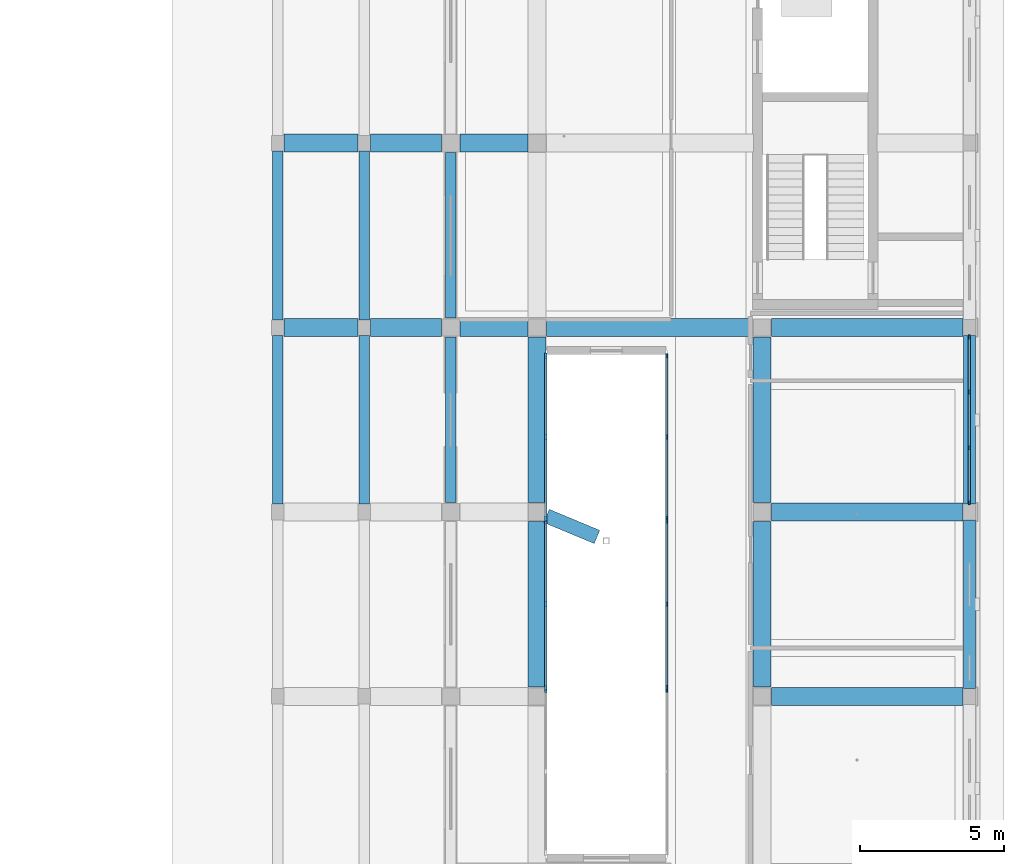
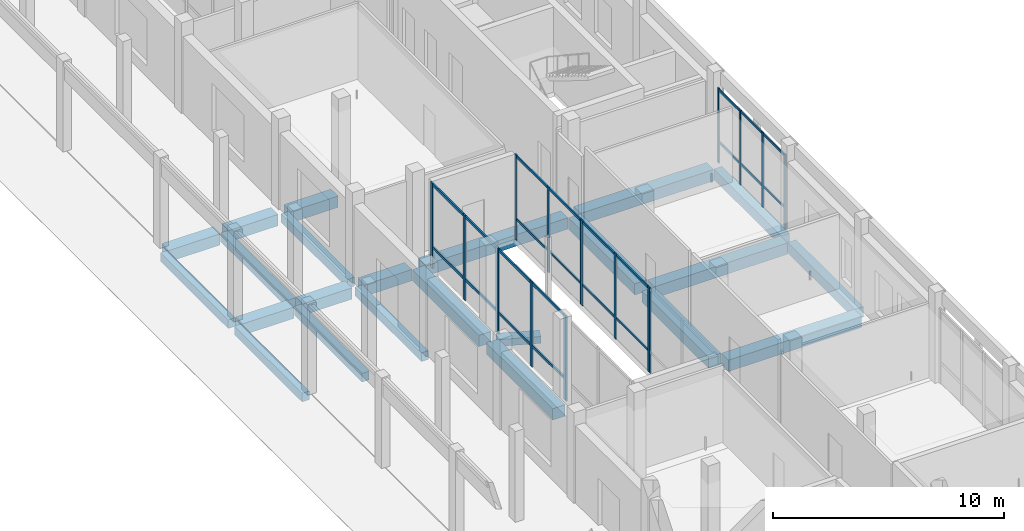
# One storey, part 34 of 88: 28 members, 23 beams, 7 elements without a shape of their own.
"""IFC4 building model written with IfcOpenShell, lengths in metres."""

import ifcopenshell
import ifcopenshell.guid

model = None  # the IFC model being written
_history = None  # IfcOwnerHistory: only IFC2X3 demands one
_inside = {}  # id of a spatial element -> (the spatial element, [elements in it])
_under = {}  # id of a project, library or spatial element -> (it, [spatial elements below it])
_declared = {}  # id of a project -> (the project, [libraries it declares])
_typed = {}  # id of a type object -> (the type object, [elements of that type])
_made_of = {}  # id of a material, layer set ... -> (it, [elements and type objects made of it])


def new_model(schema):
    """Start an empty IFC model of exactly this schema.

    Asked for "IFC4X3", IfcOpenShell would pick the latest addendum, in which some entities
    have other attributes; the version numbers below select the first issue.
    IFC2X3 requires an IfcOwnerHistory on every rooted entity: one is made here for all.
    """
    global model, _history
    if schema == "IFC4X3":
        model = ifcopenshell.file(schema_version=(4, 3, 0, 0))
    else:
        model = ifcopenshell.file(schema=schema)
    _inside.clear()
    _under.clear()
    _declared.clear()
    _typed.clear()
    _made_of.clear()
    _history = None
    if model.schema == "IFC2X3":
        org = make("IfcOrganization", Name="unknown")
        user = make(
            "IfcPersonAndOrganization",
            ThePerson=make("IfcPerson", FamilyName="unknown"),
            TheOrganization=org,
        )
        app = make(
            "IfcApplication",
            ApplicationDeveloper=org,
            Version="unknown",
            ApplicationFullName="unknown",
            ApplicationIdentifier="unknown",
        )
        _history = make(
            "IfcOwnerHistory",
            OwningUser=user,
            OwningApplication=app,
            ChangeAction="ADDED",
            CreationDate=0,
        )
    return model


def make(cls, **values):
    """One entity of the class cls with the attributes given. An attribute that is None is left unset."""
    return model.create_entity(
        cls, **{name: value for name, value in values.items() if value is not None}
    )


def rooted(cls, **values):
    """An entity with a GlobalId (a new one), such as an element, a storey or a relation."""
    return make(cls, GlobalId=ifcopenshell.guid.new(), OwnerHistory=_history, **values)


def si_unit(unit_type, name, prefix=None):
    """IfcSIUnit, for example si_unit("LENGTHUNIT", "METRE", prefix="MILLI")."""
    return make("IfcSIUnit", UnitType=unit_type, Prefix=prefix, Name=name)


def derived_unit(unit_type, elements):
    """IfcDerivedUnit: a product of units, each with its exponent."""
    return make(
        "IfcDerivedUnit",
        Elements=[
            make("IfcDerivedUnitElement", Unit=unit, Exponent=power)
            for unit, power in elements
        ],
        UnitType=unit_type,
    )


def assignment(units):
    """IfcUnitAssignment: the units of a project."""
    return None if units is None else make("IfcUnitAssignment", Units=units)


def point(xyz):
    """IfcCartesianPoint."""
    return None if xyz is None else make("IfcCartesianPoint", Coordinates=xyz)


def direction(xyz):
    """IfcDirection."""
    return None if xyz is None else make("IfcDirection", DirectionRatios=xyz)


def frame(location, z_axis=None, x_axis=None):
    """IfcAxis2Placement3D, a coordinate frame: its origin and axes. An axis left out is left unset."""
    return make(
        "IfcAxis2Placement3D",
        Location=point(location),
        Axis=direction(z_axis),
        RefDirection=direction(x_axis),
    )


def frame_2d(location, x_axis=None):
    """IfcAxis2Placement2D, a coordinate frame in the plane: its origin and x axis."""
    return make(
        "IfcAxis2Placement2D", Location=point(location), RefDirection=direction(x_axis)
    )


def origin():
    """The frame at (0, 0, 0) with its axes left unset."""
    return frame((0.0, 0.0, 0.0))


def origin_2d():
    """The frame at (0, 0) in the plane with its x axis left unset."""
    return frame_2d((0.0, 0.0))


def place(relative_to, where):
    """IfcLocalPlacement: puts the frame where relative to a parent placement (None: the world)."""
    return make(
        "IfcLocalPlacement", PlacementRelTo=relative_to, RelativePlacement=where
    )


def context(
    kind, dimensions, precision=None, world=None, true_north=None, identifier=None
):
    """IfcGeometricRepresentationContext, for example the 3D "Model" context."""
    return make(
        "IfcGeometricRepresentationContext",
        ContextIdentifier=identifier,
        ContextType=kind,
        CoordinateSpaceDimension=dimensions,
        Precision=precision,
        WorldCoordinateSystem=world,
        TrueNorth=true_north,
    )


def subcontext(parent, identifier, kind, view, scale=None):
    """IfcGeometricRepresentationSubContext, for example "Body" below "Model"."""
    return make(
        "IfcGeometricRepresentationSubContext",
        ContextIdentifier=identifier,
        ContextType=kind,
        ParentContext=parent,
        TargetScale=scale,
        TargetView=view,
    )


def project(units=None, contexts=None):
    """IfcProject with its units and contexts."""
    return rooted(
        "IfcProject",
        Name="project",
        RepresentationContexts=contexts,
        UnitsInContext=assignment(units),
    )


def spatial(cls, under=None, at=None, **own):
    """A site, building, storey or space (cls), placed at a placement, below another one or the project."""
    s = rooted(cls, ObjectPlacement=at, **own)
    if under is not None:
        _under.setdefault(under.id(), (under, []))[1].append(s)
    return s


def profile(cls, at=None, kind="AREA", **sizes):
    """A parametric profile (cls). Its sizes go by their IFC names, for example OverallWidth=200.0."""
    return make(cls, ProfileType=kind, Position=at, **sizes)


def rectangle(**sizes):
    """IfcRectangleProfileDef."""
    return profile("IfcRectangleProfileDef", **sizes)


def extrude(swept, where, along, depth):
    """IfcExtrudedAreaSolid: the profile swept, set in the frame where, extruded along a direction by depth."""
    return make(
        "IfcExtrudedAreaSolid",
        SweptArea=swept,
        Position=where,
        ExtrudedDirection=direction(along),
        Depth=depth,
    )


def shape(context_of_items, identifier, shape_type, items):
    """IfcShapeRepresentation: the items that make up one representation, for example the "Body"."""
    return make(
        "IfcShapeRepresentation",
        ContextOfItems=context_of_items,
        RepresentationIdentifier=identifier,
        RepresentationType=shape_type,
        Items=items,
    )


def material(Name=None, Category=None):
    """IfcMaterial."""
    return make("IfcMaterial", Name=Name, Category=Category)


def material_profile(
    of_material, cross_section, Name=None, Category=None, Priority=None
):
    """IfcMaterialProfile: a cross section and its material."""
    return make(
        "IfcMaterialProfile",
        Name=Name,
        Material=of_material,
        Profile=cross_section,
        Priority=Priority,
        Category=Category,
    )


def profile_set(profiles, Name=None, composite=None):
    """IfcMaterialProfileSet."""
    return make(
        "IfcMaterialProfileSet",
        Name=Name,
        MaterialProfiles=profiles,
        CompositeProfile=composite,
    )


def made_of(thing, what):
    """Note that an element or type object is made of a material, layer set ...; save() writes the relation."""
    if what is not None:
        _made_of.setdefault(what.id(), (what, []))[1].append(thing)
    return thing


def type_object(cls, material=None, **own):
    """A type object (cls), such as IfcWallType, which elements share."""
    return made_of(rooted(cls, **own), material)


def element(
    cls,
    number,
    at=None,
    inside=None,
    cuts=None,
    type_object=None,
    material=None,
    context=None,
    identifier="Body",
    shape_type=None,
    held_by="IfcProductDefinitionShape",
    body=None,
    shapes=None,
    **own,
):
    """One element of the class cls, such as IfcWall. Its Tag is "e" and its number.

    at: its placement. inside: the storey or other place that contains it. cuts: it is an
    opening in that element (IfcRelVoidsElement). A single representation is given by context,
    identifier, shape_type and body (its items); several are given by shapes. held_by: the class
    of the entity that holds the representations. save() writes the other relations.
    """
    e = rooted(cls, Tag="e%d" % number, ObjectPlacement=at, **own)
    if body is not None:
        shapes = [shape(context, identifier, shape_type, body)]
    if shapes is not None:
        e.Representation = make(held_by, Representations=shapes)
    if inside is not None:
        _inside.setdefault(inside.id(), (inside, []))[1].append(e)
    if cuts is not None:
        rooted(
            "IfcRelVoidsElement", RelatingBuildingElement=cuts, RelatedOpeningElement=e
        )
    if type_object is not None:
        _typed.setdefault(type_object.id(), (type_object, []))[1].append(e)
    return made_of(e, material)


def aggregate(whole, parts):
    """IfcRelAggregates: a whole, such as a stair, and the parts it consists of."""
    return rooted("IfcRelAggregates", RelatingObject=whole, RelatedObjects=parts)


def save(model, path):
    """Write the relations noted so far, then the file.

    IfcRelAggregates (storeys below a building ...), IfcRelContainedInSpatialStructure (elements
    in a storey), IfcRelDefinesByType, IfcRelAssociatesMaterial and IfcRelDeclares: one each for
    every whole, place, type object, material and project.
    """
    for whole, parts in _under.values():
        aggregate(whole, parts)
    for where, things in _inside.values():
        rooted(
            "IfcRelContainedInSpatialStructure",
            RelatedElements=things,
            RelatingStructure=where,
        )
    for kind, things in _typed.values():
        rooted("IfcRelDefinesByType", RelatedObjects=things, RelatingType=kind)
    for what, things in _made_of.values():
        rooted("IfcRelAssociatesMaterial", RelatedObjects=things, RelatingMaterial=what)
    for by, libraries in _declared.values():
        rooted("IfcRelDeclares", RelatingContext=by, RelatedDefinitions=libraries)
    model.write(path)


model = new_model("IFC4")

# Units and contexts
model_context = context("Model", 3, precision=1e-05, world=origin(), true_north=direction((0.0, 1.0)))
body_context = subcontext(model_context, "Body", "Model", "MODEL_VIEW")
ifc_project = project(units=[si_unit("LENGTHUNIT", "METRE"), si_unit("AREAUNIT", "SQUARE_METRE"), si_unit("VOLUMEUNIT", "CUBIC_METRE"), si_unit("PLANEANGLEUNIT", "RADIAN"), si_unit("MASSUNIT", "GRAM", prefix="KILO"), derived_unit("THERMALTRANSMITTANCEUNIT", [(si_unit("POWERUNIT", "WATT"), 1), (si_unit("LENGTHUNIT", "METRE"), -2), (si_unit("THERMODYNAMICTEMPERATUREUNIT", "KELVIN"), -1)])], contexts=[model_context])

# Site, building, storey
site_placement = place(None, origin())
site = spatial("IfcSite", under=ifc_project, at=site_placement, CompositionType="ELEMENT")
building_placement = place(site_placement, origin())
building = spatial("IfcBuilding", under=site, at=building_placement, Name="Braskholm Square Health Centre", CompositionType="ELEMENT")
storey_placement = place(building_placement, origin())
storey = spatial("IfcBuildingStorey", under=building, at=storey_placement, Name="L01", CompositionType="ELEMENT", Elevation=0.0)

# Curtain wall, members
ifc_material_1 = material(Name="Low-E triple insulating glass (VLT 0.64)", Category="glass")
curtain_wall_type_1 = type_object("IfcCurtainWallType", Name="UnitisedCurtainWall6200x4100", PredefinedType="NOTDEFINED", material=ifc_material_1)
curtain_wall_1_placement = place(storey_placement, origin())
curtain_wall_1 = element("IfcCurtainWall", 1, at=curtain_wall_1_placement, inside=storey, type_object=curtain_wall_type_1, Name="East Storefront unitised curtain wall CW-L01-0048", PredefinedType="NOTDEFINED")
ifc_material_2 = material(Name="Architectural bronze anodised aluminium", Category="aluminium")
ifc_material_profile_1 = material_profile(ifc_material_2, rectangle(XDim=0.06494140625, YDim=0.14990234375, at=origin_2d()), Name="ALU-65X150")
ifc_profile_set_1 = profile_set([ifc_material_profile_1], Name="Architectural bronze anodised aluminium")
member_type_1 = type_object("IfcMemberType", Name="CurtainWallMullion65x150", PredefinedType="MULLION", material=ifc_profile_set_1)
member_1_placement = place(storey_placement, frame((163.800048828125, 42.9248046875, 0.0), z_axis=(0.0, 0.0, 1.0), x_axis=(1.0, 0.0, 0.0)))
member_1 = element("IfcMember", 2, at=member_1_placement, type_object=member_type_1, Name="CW-L01-0048 vertical mullion 1", PredefinedType="MULLION", context=body_context, shape_type="SweptSolid", body=[
    extrude(rectangle(XDim=0.06494140625, YDim=0.14990234375, at=origin_2d()), origin(), (0.0, 0.0, 1.0), 3.949951171875),
])
member_2_placement = place(storey_placement, frame((163.800048828125, 44.830078125, 0.0), z_axis=(0.0, 0.0, 1.0), x_axis=(1.0, 0.0, 0.0)))
member_2 = element("IfcMember", 3, at=member_2_placement, type_object=member_type_1, Name="CW-L01-0048 vertical mullion 2", PredefinedType="MULLION", context=body_context, shape_type="SweptSolid", body=[
    extrude(rectangle(XDim=0.06494140625, YDim=0.14990234375, at=origin_2d()), origin(), (0.0, 0.0, 1.0), 3.949951171875),
])
member_3_placement = place(storey_placement, frame((163.800048828125, 46.77001953125, 0.0), z_axis=(0.0, 0.0, 1.0), x_axis=(1.0, 0.0, 0.0)))
member_3 = element("IfcMember", 4, at=member_3_placement, type_object=member_type_1, Name="CW-L01-0048 vertical mullion 3", PredefinedType="MULLION", context=body_context, shape_type="SweptSolid", body=[
    extrude(rectangle(XDim=0.06494140625, YDim=0.14990234375, at=origin_2d()), origin(), (0.0, 0.0, 1.0), 3.949951171875),
])
member_4_placement = place(storey_placement, frame((163.800048828125, 48.675048828125, 0.0), z_axis=(0.0, 0.0, 1.0), x_axis=(1.0, 0.0, 0.0)))
member_4 = element("IfcMember", 5, at=member_4_placement, type_object=member_type_1, Name="CW-L01-0048 vertical mullion 4", PredefinedType="MULLION", context=body_context, shape_type="SweptSolid", body=[
    extrude(rectangle(XDim=0.06494140625, YDim=0.14990234375, at=origin_2d()), origin(), (0.0, 0.0, 1.0), 3.949951171875),
])

# Curtain wall, member
curtain_wall_type_2 = type_object("IfcCurtainWallType", Name="UnitisedCurtainWall5400x4400", PredefinedType="NOTDEFINED", material=ifc_material_1)
curtain_wall_2_placement = place(storey_placement, origin())
curtain_wall_2 = element("IfcCurtainWall", 6, at=curtain_wall_2_placement, inside=storey, type_object=curtain_wall_type_2, Name="EC1 Court E unitised curtain wall CW-L01-0322", PredefinedType="NOTDEFINED")
member_5_placement = place(storey_placement, frame((153.300048828125, 36.427734375, 0.0), z_axis=(0.0, 0.0, 1.0), x_axis=(1.0, 0.0, 0.0)))
member_5 = element("IfcMember", 7, at=member_5_placement, type_object=member_type_1, Name="CW-L01-0322 vertical mullion 1", PredefinedType="MULLION", context=body_context, shape_type="SweptSolid", body=[
    extrude(rectangle(XDim=0.06494140625, YDim=0.14990234375, at=origin_2d()), origin(), (0.0, 0.0, 1.0), 4.5),
])
aggregate(curtain_wall_2, [member_5])

# Curtain wall, members
curtain_wall_type_3 = type_object("IfcCurtainWallType", Name="UnitisedCurtainWall6200x4400", PredefinedType="NOTDEFINED", material=ifc_material_1)
curtain_wall_3_placement = place(storey_placement, origin())
curtain_wall_3 = element("IfcCurtainWall", 8, at=curtain_wall_3_placement, inside=storey, type_object=curtain_wall_type_3, Name="EC1 Court E unitised curtain wall CW-L01-0324", PredefinedType="NOTDEFINED")
member_6_placement = place(storey_placement, frame((153.300048828125, 42.29296875, 0.0), z_axis=(0.0, 0.0, 1.0), x_axis=(1.0, 0.0, 0.0)))
member_6 = element("IfcMember", 9, at=member_6_placement, type_object=member_type_1, Name="CW-L01-0324 vertical mullion 1", PredefinedType="MULLION", context=body_context, shape_type="SweptSolid", body=[
    extrude(rectangle(XDim=0.06494140625, YDim=0.14990234375, at=origin_2d()), origin(), (0.0, 0.0, 1.0), 4.5),
])
member_7_placement = place(storey_placement, frame((153.300048828125, 39.39990234375, 0.0), z_axis=(0.0, 0.0, 1.0), x_axis=(1.0, 0.0, 0.0)))
member_7 = element("IfcMember", 10, at=member_7_placement, type_object=member_type_1, Name="CW-L01-0324 vertical mullion 2", PredefinedType="MULLION", context=body_context, shape_type="SweptSolid", body=[
    extrude(rectangle(XDim=0.06494140625, YDim=0.14990234375, at=origin_2d()), origin(), (0.0, 0.0, 1.0), 4.5),
])
member_8_placement = place(storey_placement, frame((153.300048828125, 36.507080078125, 0.0), z_axis=(0.0, 0.0, 1.0), x_axis=(1.0, 0.0, 0.0)))
member_8 = element("IfcMember", 11, at=member_8_placement, type_object=member_type_1, Name="CW-L01-0324 vertical mullion 3", PredefinedType="MULLION", context=body_context, shape_type="SweptSolid", body=[
    extrude(rectangle(XDim=0.06494140625, YDim=0.14990234375, at=origin_2d()), origin(), (0.0, 0.0, 1.0), 4.5),
])

curtain_wall_4_placement = place(storey_placement, origin())
curtain_wall_4 = element("IfcCurtainWall", 12, at=curtain_wall_4_placement, inside=storey, type_object=curtain_wall_type_2, Name="EC1 Court E unitised curtain wall CW-L01-0326", PredefinedType="NOTDEFINED")
member_9_placement = place(storey_placement, frame((153.300048828125, 48.025634765625, 0.0), z_axis=(0.0, 0.0, 1.0), x_axis=(1.0, 0.0, 0.0)))
member_9 = element("IfcMember", 13, at=member_9_placement, type_object=member_type_1, Name="CW-L01-0326 vertical mullion 1", PredefinedType="MULLION", context=body_context, shape_type="SweptSolid", body=[
    extrude(rectangle(XDim=0.06494140625, YDim=0.14990234375, at=origin_2d()), origin(), (0.0, 0.0, 1.0), 4.5),
])
member_10_placement = place(storey_placement, frame((153.300048828125, 45.198974609375, 0.0), z_axis=(0.0, 0.0, 1.0), x_axis=(1.0, 0.0, 0.0)))
member_10 = element("IfcMember", 14, at=member_10_placement, type_object=member_type_1, Name="CW-L01-0326 vertical mullion 2", PredefinedType="MULLION", context=body_context, shape_type="SweptSolid", body=[
    extrude(rectangle(XDim=0.06494140625, YDim=0.14990234375, at=origin_2d()), origin(), (0.0, 0.0, 1.0), 4.5),
])
member_11_placement = place(storey_placement, frame((153.300048828125, 42.372314453125, 0.0), z_axis=(0.0, 0.0, 1.0), x_axis=(1.0, 0.0, 0.0)))
member_11 = element("IfcMember", 15, at=member_11_placement, type_object=member_type_1, Name="CW-L01-0326 vertical mullion 3", PredefinedType="MULLION", context=body_context, shape_type="SweptSolid", body=[
    extrude(rectangle(XDim=0.06494140625, YDim=0.14990234375, at=origin_2d()), origin(), (0.0, 0.0, 1.0), 4.5),
])

# Curtain wall, member
curtain_wall_5_placement = place(storey_placement, origin())
curtain_wall_5 = element("IfcCurtainWall", 16, at=curtain_wall_5_placement, inside=storey, type_object=curtain_wall_type_2, Name="EC1 Court W unitised curtain wall CW-L01-0321", PredefinedType="NOTDEFINED")
ifc_material_profile_2 = material_profile(ifc_material_2, rectangle(XDim=0.074951171875, YDim=0.179931640625, at=origin_2d()), Name="ALU-75X180")
ifc_profile_set_2 = profile_set([ifc_material_profile_2], Name="Architectural bronze anodised aluminium")
member_type_2 = type_object("IfcMemberType", Name="CurtainWallMullion75x180", PredefinedType="MULLION", material=ifc_profile_set_2)
member_12_placement = place(storey_placement, frame((149.10009765625, 36.427734375, 0.0), z_axis=(0.0, 0.0, 1.0), x_axis=(1.0, 0.0, 0.0)))
member_12 = element("IfcMember", 17, at=member_12_placement, type_object=member_type_2, Name="CW-L01-0321 vertical mullion 3", PredefinedType="MULLION", context=body_context, shape_type="SweptSolid", body=[
    extrude(rectangle(XDim=0.074951171875, YDim=0.179931640625, at=origin_2d()), origin(), (0.0, 0.0, 1.0), 4.5),
])
aggregate(curtain_wall_5, [member_12])

# Curtain wall, members
curtain_wall_6_placement = place(storey_placement, origin())
curtain_wall_6 = element("IfcCurtainWall", 18, at=curtain_wall_6_placement, inside=storey, type_object=curtain_wall_type_3, Name="EC1 Court W unitised curtain wall CW-L01-0323", PredefinedType="NOTDEFINED")
member_13_placement = place(storey_placement, frame((149.10009765625, 36.507080078125, 0.0), z_axis=(0.0, 0.0, 1.0), x_axis=(1.0, 0.0, 0.0)))
member_13 = element("IfcMember", 19, at=member_13_placement, type_object=member_type_2, Name="CW-L01-0323 vertical mullion 1", PredefinedType="MULLION", context=body_context, shape_type="SweptSolid", body=[
    extrude(rectangle(XDim=0.074951171875, YDim=0.179931640625, at=origin_2d()), origin(), (0.0, 0.0, 1.0), 4.5),
])
member_14_placement = place(storey_placement, frame((149.10009765625, 39.39990234375, 0.0), z_axis=(0.0, 0.0, 1.0), x_axis=(1.0, 0.0, 0.0)))
member_14 = element("IfcMember", 20, at=member_14_placement, type_object=member_type_2, Name="CW-L01-0323 vertical mullion 2", PredefinedType="MULLION", context=body_context, shape_type="SweptSolid", body=[
    extrude(rectangle(XDim=0.074951171875, YDim=0.179931640625, at=origin_2d()), origin(), (0.0, 0.0, 1.0), 4.5),
])
member_15_placement = place(storey_placement, frame((149.10009765625, 42.29296875, 0.0), z_axis=(0.0, 0.0, 1.0), x_axis=(1.0, 0.0, 0.0)))
member_15 = element("IfcMember", 21, at=member_15_placement, type_object=member_type_2, Name="CW-L01-0323 vertical mullion 3", PredefinedType="MULLION", context=body_context, shape_type="SweptSolid", body=[
    extrude(rectangle(XDim=0.074951171875, YDim=0.179931640625, at=origin_2d()), origin(), (0.0, 0.0, 1.0), 4.5),
])

curtain_wall_7_placement = place(storey_placement, origin())
curtain_wall_7 = element("IfcCurtainWall", 22, at=curtain_wall_7_placement, inside=storey, type_object=curtain_wall_type_2, Name="EC1 Court W unitised curtain wall CW-L01-0325", PredefinedType="NOTDEFINED")
member_16_placement = place(storey_placement, frame((149.10009765625, 42.372314453125, 0.0), z_axis=(0.0, 0.0, 1.0), x_axis=(1.0, 0.0, 0.0)))
member_16 = element("IfcMember", 23, at=member_16_placement, type_object=member_type_2, Name="CW-L01-0325 vertical mullion 1", PredefinedType="MULLION", context=body_context, shape_type="SweptSolid", body=[
    extrude(rectangle(XDim=0.074951171875, YDim=0.179931640625, at=origin_2d()), origin(), (0.0, 0.0, 1.0), 4.5),
])
member_17_placement = place(storey_placement, frame((149.10009765625, 45.198974609375, 0.0), z_axis=(0.0, 0.0, 1.0), x_axis=(1.0, 0.0, 0.0)))
member_17 = element("IfcMember", 24, at=member_17_placement, type_object=member_type_2, Name="CW-L01-0325 vertical mullion 2", PredefinedType="MULLION", context=body_context, shape_type="SweptSolid", body=[
    extrude(rectangle(XDim=0.074951171875, YDim=0.179931640625, at=origin_2d()), origin(), (0.0, 0.0, 1.0), 4.5),
])
member_18_placement = place(storey_placement, frame((149.10009765625, 48.025634765625, 0.0), z_axis=(0.0, 0.0, 1.0), x_axis=(1.0, 0.0, 0.0)))
member_18 = element("IfcMember", 25, at=member_18_placement, type_object=member_type_2, Name="CW-L01-0325 vertical mullion 3", PredefinedType="MULLION", context=body_context, shape_type="SweptSolid", body=[
    extrude(rectangle(XDim=0.074951171875, YDim=0.179931640625, at=origin_2d()), origin(), (0.0, 0.0, 1.0), 4.5),
])

# Member
ifc_material_profile_3 = material_profile(ifc_material_2, rectangle(XDim=0.06494140625, YDim=0.1201171875, at=origin_2d()), Name="ALU-65X120")
ifc_profile_set_3 = profile_set([ifc_material_profile_3], Name="Architectural bronze anodised aluminium")
member_type_3 = type_object("IfcMemberType", Name="CurtainWallTransom65x120", PredefinedType="USERDEFINED", material=ifc_profile_set_3)
member_19_placement = place(storey_placement, frame((163.800048828125, 42.93505859375, 1.1201171875), z_axis=(0.0, 1.0, 0.0), x_axis=(-1.0, 0.0, 0.0)))
member_19 = element("IfcMember", 26, at=member_19_placement, type_object=member_type_3, Name="CW-L01-0048 horizontal transom 1", ObjectType="TRANSOM", PredefinedType="USERDEFINED", context=body_context, shape_type="SweptSolid", body=[
    extrude(rectangle(XDim=0.06494140625, YDim=0.1201171875, at=origin_2d()), origin(), (0.0, 0.0, 1.0), 5.72998046875),
])

member_20_placement = place(storey_placement, frame((163.800048828125, 42.93505859375, 3.8798828125), z_axis=(0.0, 1.0, 0.0), x_axis=(-1.0, 0.0, 0.0)))
member_20 = element("IfcMember", 27, at=member_20_placement, type_object=member_type_3, Name="CW-L01-0048 horizontal transom 2", ObjectType="TRANSOM", PredefinedType="USERDEFINED", context=body_context, shape_type="SweptSolid", body=[
    extrude(rectangle(XDim=0.06494140625, YDim=0.1201171875, at=origin_2d()), origin(), (0.0, 0.0, 1.0), 5.72998046875),
])

aggregate(curtain_wall_1, [member_1, member_2, member_3, member_4, member_19, member_20])

member_21_placement = place(storey_placement, frame((153.300048828125, 42.282958984375, 1.1201171875), z_axis=(0.0, -1.0, 0.0), x_axis=(1.0, 0.0, 0.0)))
member_21 = element("IfcMember", 28, at=member_21_placement, type_object=member_type_3, Name="CW-L01-0324 horizontal transom 1", ObjectType="TRANSOM", PredefinedType="USERDEFINED", context=body_context, shape_type="SweptSolid", body=[
    extrude(rectangle(XDim=0.06494140625, YDim=0.1201171875, at=origin_2d()), origin(), (0.0, 0.0, 1.0), 5.765869140625),
])

member_22_placement = place(storey_placement, frame((153.300048828125, 42.282958984375, 4.429931640625), z_axis=(0.0, -1.0, 0.0), x_axis=(1.0, 0.0, 0.0)))
member_22 = element("IfcMember", 29, at=member_22_placement, type_object=member_type_3, Name="CW-L01-0324 horizontal transom 2", ObjectType="TRANSOM", PredefinedType="USERDEFINED", context=body_context, shape_type="SweptSolid", body=[
    extrude(rectangle(XDim=0.06494140625, YDim=0.1201171875, at=origin_2d()), origin(), (0.0, 0.0, 1.0), 5.765869140625),
])

aggregate(curtain_wall_3, [member_6, member_7, member_8, member_21, member_22])

member_23_placement = place(storey_placement, frame((153.300048828125, 48.014892578125, 1.1201171875), z_axis=(0.0, -1.0, 0.0), x_axis=(1.0, 0.0, 0.0)))
member_23 = element("IfcMember", 30, at=member_23_placement, type_object=member_type_3, Name="CW-L01-0326 horizontal transom 1", ObjectType="TRANSOM", PredefinedType="USERDEFINED", context=body_context, shape_type="SweptSolid", body=[
    extrude(rectangle(XDim=0.06494140625, YDim=0.1201171875, at=origin_2d()), origin(), (0.0, 0.0, 1.0), 5.6318359375),
])

member_24_placement = place(storey_placement, frame((153.300048828125, 48.014892578125, 4.429931640625), z_axis=(0.0, -1.0, 0.0), x_axis=(1.0, 0.0, 0.0)))
member_24 = element("IfcMember", 31, at=member_24_placement, type_object=member_type_3, Name="CW-L01-0326 horizontal transom 2", ObjectType="TRANSOM", PredefinedType="USERDEFINED", context=body_context, shape_type="SweptSolid", body=[
    extrude(rectangle(XDim=0.06494140625, YDim=0.1201171875, at=origin_2d()), origin(), (0.0, 0.0, 1.0), 5.6318359375),
])

aggregate(curtain_wall_4, [member_9, member_10, member_11, member_23, member_24])

ifc_material_profile_4 = material_profile(ifc_material_2, rectangle(XDim=0.074951171875, YDim=0.139892578125, at=origin_2d()), Name="ALU-75X140")
ifc_profile_set_4 = profile_set([ifc_material_profile_4], Name="Architectural bronze anodised aluminium")
member_type_4 = type_object("IfcMemberType", Name="CurtainWallTransom75x140", PredefinedType="USERDEFINED", material=ifc_profile_set_4)
member_25_placement = place(storey_placement, frame((149.10009765625, 36.51708984375, 1.1201171875), z_axis=(0.0, 1.0, 0.0), x_axis=(-1.0, 0.0, 0.0)))
member_25 = element("IfcMember", 32, at=member_25_placement, type_object=member_type_4, Name="CW-L01-0323 horizontal transom 1", ObjectType="TRANSOM", PredefinedType="USERDEFINED", context=body_context, shape_type="SweptSolid", body=[
    extrude(rectangle(XDim=0.074951171875, YDim=0.139892578125, at=origin_2d()), origin(), (0.0, 0.0, 1.0), 5.765869140625),
])

member_26_placement = place(storey_placement, frame((149.10009765625, 36.51708984375, 4.429931640625), z_axis=(0.0, 1.0, 0.0), x_axis=(-1.0, 0.0, 0.0)))
member_26 = element("IfcMember", 33, at=member_26_placement, type_object=member_type_4, Name="CW-L01-0323 horizontal transom 2", ObjectType="TRANSOM", PredefinedType="USERDEFINED", context=body_context, shape_type="SweptSolid", body=[
    extrude(rectangle(XDim=0.074951171875, YDim=0.139892578125, at=origin_2d()), origin(), (0.0, 0.0, 1.0), 5.765869140625),
])

aggregate(curtain_wall_6, [member_13, member_14, member_15, member_25, member_26])

member_27_placement = place(storey_placement, frame((149.10009765625, 42.383056640625, 1.1201171875), z_axis=(0.0, 1.0, 0.0), x_axis=(-1.0, 0.0, 0.0)))
member_27 = element("IfcMember", 34, at=member_27_placement, type_object=member_type_4, Name="CW-L01-0325 horizontal transom 1", ObjectType="TRANSOM", PredefinedType="USERDEFINED", context=body_context, shape_type="SweptSolid", body=[
    extrude(rectangle(XDim=0.074951171875, YDim=0.139892578125, at=origin_2d()), origin(), (0.0, 0.0, 1.0), 5.6318359375),
])

member_28_placement = place(storey_placement, frame((149.10009765625, 42.383056640625, 4.429931640625), z_axis=(0.0, 1.0, 0.0), x_axis=(-1.0, 0.0, 0.0)))
member_28 = element("IfcMember", 35, at=member_28_placement, type_object=member_type_4, Name="CW-L01-0325 horizontal transom 2", ObjectType="TRANSOM", PredefinedType="USERDEFINED", context=body_context, shape_type="SweptSolid", body=[
    extrude(rectangle(XDim=0.074951171875, YDim=0.139892578125, at=origin_2d()), origin(), (0.0, 0.0, 1.0), 5.6318359375),
])

aggregate(curtain_wall_7, [member_16, member_17, member_18, member_27, member_28])

# Beams
ifc_material_3 = material(Name="Concrete C35/45 (f'c = 35 MPa)", Category="concrete")
ifc_material_profile_5 = material_profile(ifc_material_3, rectangle(XDim=0.5, YDim=0.360107421875, at=origin_2d()), Name="RCB-500X360")
ifc_profile_set_5 = profile_set([ifc_material_profile_5], Name="Concrete C35/45 (f'c = 35 MPa)")
beam_type_1 = type_object("IfcBeamType", Name="PrimaryBandBeam500x360", PredefinedType="BEAM", material=ifc_profile_set_5)
beam_1_placement = place(storey_placement, frame((150.876708984375, 41.734619140625, -0.47998046875), z_axis=(-0.923054106672, 0.384670139414, 0.0), x_axis=(-0.384670139414, -0.923054106672, 0.0)))
element("IfcBeam", 36, at=beam_1_placement, inside=storey, type_object=beam_type_1, Name="Tie beam CS3D L01", PredefinedType="BEAM", context=body_context, shape_type="SweptSolid", body=[
    extrude(rectangle(XDim=0.5, YDim=0.360107421875, at=origin_2d()), origin(), (0.0, 0.0, 1.0), 1.899658203125),
])
ifc_material_4 = material(Name="Concrete C40/50 (f'c = 40 MPa)", Category="concrete")
ifc_material_profile_6 = material_profile(ifc_material_4, rectangle(XDim=0.6201171875, YDim=0.60009765625, at=origin_2d()), Name="RCB-620X600")
ifc_profile_set_6 = profile_set([ifc_material_profile_6], Name="Concrete C40/50 (f'c = 40 MPa)")
beam_type_2 = type_object("IfcBeamType", Name="PrimarySubstructureBeam620x600", PredefinedType="BEAM", material=ifc_profile_set_6)
for number, where, z_axis, x_axis, name in (
    (37, (148.800048828125, 36.52490234375, -0.60009765625), (0.0, 1.0, 0.0), (-1.0, 0.0, 0.0), "Beam 20/F-G L01"),
    (38, (148.800048828125, 42.925048828125, -0.60009765625), (0.0, 1.0, 0.0), (-1.0, 0.0, 0.0), "Beam 20/G-H L01"),
    (39, (156.60009765625, 36.52490234375, -0.60009765625), (0.0, 1.0, 0.0), (-1.0, 0.0, 0.0), "Beam 21/F-G L01"),
    (40, (156.60009765625, 42.925048828125, -0.60009765625), (0.0, 1.0, 0.0), (-1.0, 0.0, 0.0), "Beam 21/G-H L01"),
):
    element("IfcBeam", number, at=place(storey_placement, frame(where, z_axis=z_axis, x_axis=x_axis)), inside=storey, type_object=beam_type_2, Name=name, PredefinedType="BEAM", context=body_context, shape_type="SweptSolid", body=[
        extrude(rectangle(XDim=0.6201171875, YDim=0.60009765625, at=origin_2d()), origin(), (0.0, 0.0, 1.0), 5.75),
    ])
for number, where, z_axis, x_axis, name in (
    (41, (156.925048828125, 36.199951171875, -0.60009765625), (1.0, 0.0, 0.0), (0.0, 1.0, 0.0), "Beam 21-22/F L01"),
    (42, (156.925048828125, 42.60009765625, -0.60009765625), (1.0, 0.0, 0.0), (0.0, 1.0, 0.0), "Beam 21-22/G L01"),
):
    element("IfcBeam", number, at=place(storey_placement, frame(where, z_axis=z_axis, x_axis=x_axis)), inside=storey, type_object=beam_type_2, Name=name, PredefinedType="BEAM", context=body_context, shape_type="SweptSolid", body=[
        extrude(rectangle(XDim=0.6201171875, YDim=0.60009765625, at=origin_2d()), origin(), (0.0, 0.0, 1.0), 6.64501953125),
    ])
beam_2_placement = place(storey_placement, frame((140.02001953125, 49.0, -0.52490234375), z_axis=(1.0, 0.0, 0.0), x_axis=(0.0, 1.0, 0.0)))
element("IfcBeam", 43, at=beam_2_placement, inside=storey, type_object=beam_type_2, Name="Beam 17-18/H L01", PredefinedType="BEAM", context=body_context, shape_type="SweptSolid", body=[
    extrude(rectangle(XDim=0.6201171875, YDim=0.60009765625, at=origin_2d()), origin(), (0.0, 0.0, 1.0), 2.56005859375),
])
beam_3_placement = place(storey_placement, frame((143.02001953125, 49.0, -0.52490234375), z_axis=(1.0, 0.0, 0.0), x_axis=(0.0, 1.0, 0.0)))
element("IfcBeam", 44, at=beam_3_placement, inside=storey, type_object=beam_type_2, Name="Beam 18-19/H L01", PredefinedType="BEAM", context=body_context, shape_type="SweptSolid", body=[
    extrude(rectangle(XDim=0.6201171875, YDim=0.60009765625, at=origin_2d()), origin(), (0.0, 0.0, 1.0), 2.455078125),
])
beam_4_placement = place(storey_placement, frame((146.125, 49.0, -0.60009765625), z_axis=(1.0, 0.0, 0.0), x_axis=(0.0, 1.0, 0.0)))
element("IfcBeam", 45, at=beam_4_placement, inside=storey, type_object=beam_type_2, Name="Beam 19-20/H L01", PredefinedType="BEAM", context=body_context, shape_type="SweptSolid", body=[
    extrude(rectangle(XDim=0.6201171875, YDim=0.60009765625, at=origin_2d()), origin(), (0.0, 0.0, 1.0), 2.35009765625),
])
beam_5_placement = place(storey_placement, frame((149.125, 49.0, -0.60009765625), z_axis=(1.0, 0.0, 0.0), x_axis=(0.0, 1.0, 0.0)))
element("IfcBeam", 46, at=beam_5_placement, inside=storey, type_object=beam_type_2, Name="Beam 20-21/H L01", PredefinedType="BEAM", context=body_context, shape_type="SweptSolid", body=[
    extrude(rectangle(XDim=0.6201171875, YDim=0.60009765625, at=origin_2d()), origin(), (0.0, 0.0, 1.0), 7.14990234375),
])
beam_6_placement = place(storey_placement, frame((156.925048828125, 49.0, -0.60009765625), z_axis=(1.0, 0.0, 0.0), x_axis=(0.0, 1.0, 0.0)))
element("IfcBeam", 47, at=beam_6_placement, inside=storey, type_object=beam_type_2, Name="Beam 21-22/H L01", PredefinedType="BEAM", context=body_context, shape_type="SweptSolid", body=[
    extrude(rectangle(XDim=0.6201171875, YDim=0.60009765625, at=origin_2d()), origin(), (0.0, 0.0, 1.0), 6.64501953125),
])
beam_7_placement = place(storey_placement, frame((140.02001953125, 55.39990234375, -0.52490234375), z_axis=(1.0, 0.0, 0.0), x_axis=(0.0, 1.0, 0.0)))
element("IfcBeam", 48, at=beam_7_placement, inside=storey, type_object=beam_type_2, Name="Beam 17-18/J L01", PredefinedType="BEAM", context=body_context, shape_type="SweptSolid", body=[
    extrude(rectangle(XDim=0.6201171875, YDim=0.60009765625, at=origin_2d()), origin(), (0.0, 0.0, 1.0), 2.56005859375),
])
beam_8_placement = place(storey_placement, frame((143.02001953125, 55.39990234375, -0.52490234375), z_axis=(1.0, 0.0, 0.0), x_axis=(0.0, 1.0, 0.0)))
element("IfcBeam", 49, at=beam_8_placement, inside=storey, type_object=beam_type_2, Name="Beam 18-19/J L01", PredefinedType="BEAM", context=body_context, shape_type="SweptSolid", body=[
    extrude(rectangle(XDim=0.6201171875, YDim=0.60009765625, at=origin_2d()), origin(), (0.0, 0.0, 1.0), 2.455078125),
])
beam_9_placement = place(storey_placement, frame((146.125, 55.39990234375, -0.60009765625), z_axis=(1.0, 0.0, 0.0), x_axis=(0.0, 1.0, 0.0)))
element("IfcBeam", 50, at=beam_9_placement, inside=storey, type_object=beam_type_2, Name="Beam 19-20/J L01", PredefinedType="BEAM", context=body_context, shape_type="SweptSolid", body=[
    extrude(rectangle(XDim=0.6201171875, YDim=0.60009765625, at=origin_2d()), origin(), (0.0, 0.0, 1.0), 2.35009765625),
])
ifc_material_5 = material(Name="Precast concrete C40/50 architectural white", Category="concrete")
ifc_material_profile_7 = material_profile(ifc_material_5, rectangle(XDim=0.419921875, YDim=0.550048828125, at=origin_2d()), Name="RCB-420X550")
ifc_profile_set_7 = profile_set([ifc_material_profile_7], Name="Precast concrete C40/50 architectural white")
beam_type_3 = type_object("IfcBeamType", Name="SpandrelPrecastLedge420x550", PredefinedType="SPANDREL", material=ifc_profile_set_7)
for number, where, z_axis, x_axis, name in (
    (51, (163.800048828125, 36.47998046875, -0.574951171875), (0.0, 1.0, 0.0), (-1.0, 0.0, 0.0), "Beam 22/F-G L01"),
    (52, (163.800048828125, 42.8798828125, -0.574951171875), (0.0, 1.0, 0.0), (-1.0, 0.0, 0.0), "Beam 22/G-H L01"),
):
    element("IfcBeam", number, at=place(storey_placement, frame(where, z_axis=z_axis, x_axis=x_axis)), inside=storey, type_object=beam_type_3, Name=name, PredefinedType="SPANDREL", context=body_context, shape_type="SweptSolid", body=[
        extrude(rectangle(XDim=0.419921875, YDim=0.550048828125, at=origin_2d()), origin(), (0.0, 0.0, 1.0), 5.840087890625),
    ])
ifc_material_profile_8 = material_profile(ifc_material_5, rectangle(XDim=0.360107421875, YDim=0.4599609375, at=origin_2d()), Name="RCB-360X460")
ifc_profile_set_8 = profile_set([ifc_material_profile_8], Name="Precast concrete C40/50 architectural white")
beam_type_4 = type_object("IfcBeamType", Name="SpandrelTerraceEdge360x460", PredefinedType="SPANDREL", material=ifc_profile_set_8)
for number, where, z_axis, x_axis, name in (
    (53, (139.800048828125, 42.8701171875, -0.455078125), (0.0, 1.0, 0.0), (-1.0, 0.0, 0.0), "Beam 17/G-H L01"),
    (54, (139.800048828125, 49.27001953125, -0.455078125), (0.0, 1.0, 0.0), (-1.0, 0.0, 0.0), "Beam 17/H-J L01"),
    (55, (142.800048828125, 42.8701171875, -0.455078125), (0.0, 1.0, 0.0), (-1.0, 0.0, 0.0), "Beam 18/G-H L01"),
    (56, (142.800048828125, 49.27001953125, -0.455078125), (0.0, 1.0, 0.0), (-1.0, 0.0, 0.0), "Beam 18/H-J L01"),
):
    element("IfcBeam", number, at=place(storey_placement, frame(where, z_axis=z_axis, x_axis=x_axis)), inside=storey, type_object=beam_type_4, Name=name, PredefinedType="SPANDREL", context=body_context, shape_type="SweptSolid", body=[
        extrude(rectangle(XDim=0.360107421875, YDim=0.4599609375, at=origin_2d()), origin(), (0.0, 0.0, 1.0), 5.85986328125),
    ])
for number, where, z_axis, x_axis, name in (
    (57, (145.800048828125, 42.925048828125, -0.455078125), (0.0, 1.0, 0.0), (-1.0, 0.0, 0.0), "Beam 19/G-H L01"),
    (58, (145.800048828125, 49.324951171875, -0.455078125), (0.0, 1.0, 0.0), (-1.0, 0.0, 0.0), "Beam 19/H-J L01"),
):
    element("IfcBeam", number, at=place(storey_placement, frame(where, z_axis=z_axis, x_axis=x_axis)), inside=storey, type_object=beam_type_4, Name=name, PredefinedType="SPANDREL", context=body_context, shape_type="SweptSolid", body=[
        extrude(rectangle(XDim=0.360107421875, YDim=0.4599609375, at=origin_2d()), origin(), (0.0, 0.0, 1.0), 5.75),
    ])

save(model, "model.ifc")
